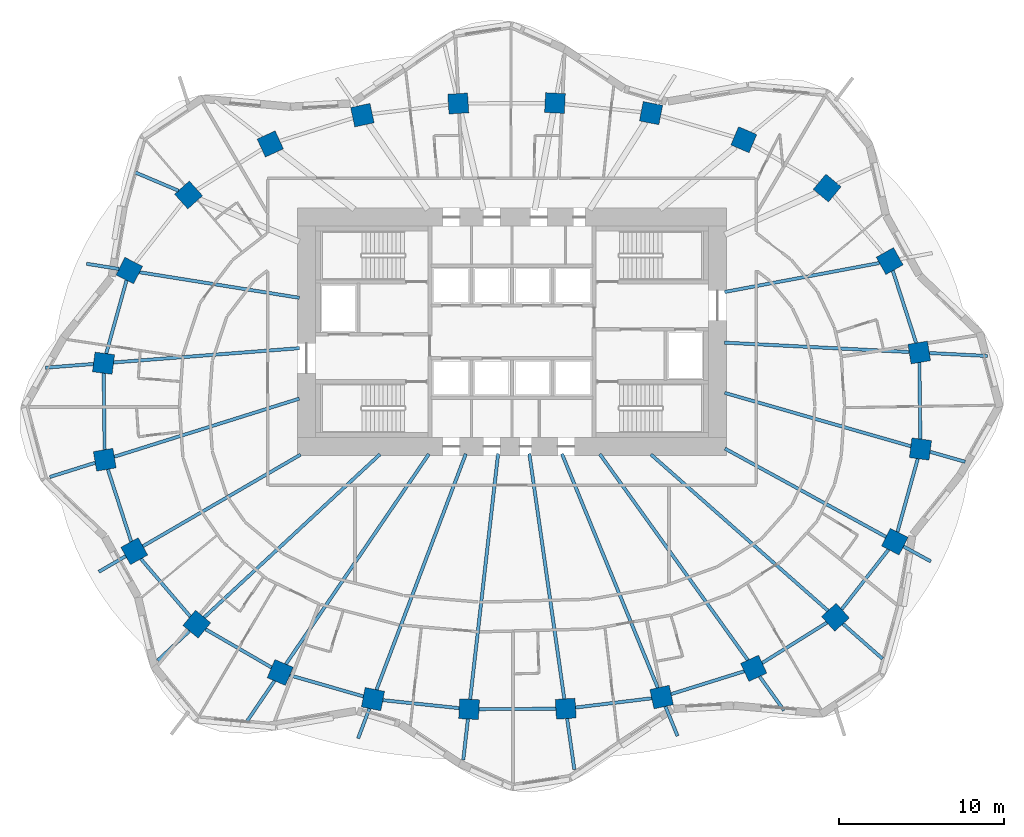
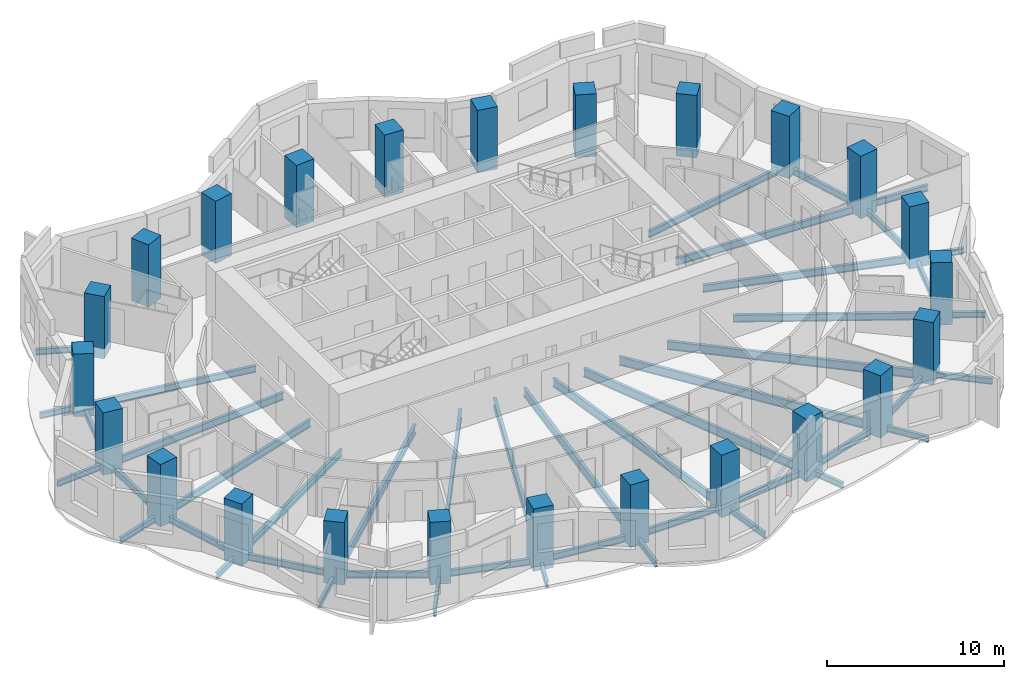
# One storey, part 1 of 11: 47 beams, 24 columns.
"""IFC4 building model written with IfcOpenShell, lengths in metres."""

from ifc_helpers import new_model, si_unit, direction, frame, origin, origin_2d, place, context, subcontext, project, spatial, rectangle, i_section, extrude, material, material_profile, profile_set, type_object, element, save


model = new_model("IFC4")

# Units and contexts
model_context = context("Model", 3, precision=1e-05, world=origin(), true_north=direction((0.0, 1.0)))
body_context = subcontext(model_context, "Body", "Model", "MODEL_VIEW")
ifc_project = project(units=[si_unit("LENGTHUNIT", "METRE"), si_unit("AREAUNIT", "SQUARE_METRE"), si_unit("VOLUMEUNIT", "CUBIC_METRE"), si_unit("PLANEANGLEUNIT", "RADIAN"), si_unit("MASSUNIT", "GRAM", prefix="KILO")], contexts=[model_context])

# Site, building, storey
site_placement = place(None, origin())
site = spatial("IfcSite", under=ifc_project, at=site_placement, CompositionType="ELEMENT")
building_placement = place(site_placement, origin())
building = spatial("IfcBuilding", under=site, at=building_placement, Name="Rubra Terraces Tower", CompositionType="ELEMENT")
storey_placement = place(building_placement, frame((0.0, 0.0, 81.60009765625)))
storey = spatial("IfcBuildingStorey", under=building, at=storey_placement, Name="L18", CompositionType="ELEMENT", Elevation=81.60009765625)

# Columns
ifc_material_1 = material(Name="Concrete C60", Category="concrete")
ifc_material_profile_1 = material_profile(ifc_material_1, rectangle(XDim=1.199951171875, YDim=1.199951171875, at=origin_2d()), Name="RC 1200x1200")
ifc_profile_set_1 = profile_set([ifc_material_profile_1], Name="Concrete C60")
column_type = type_object("IfcColumnType", Name="RING COLUMN RC 1200x1200 C60", PredefinedType="COLUMN", material=ifc_profile_set_1)
for number, where, z_axis, x_axis, name in (
    (1, (24.6689453125, 3.248046875, -0.7001953125), (0.0, 0.0, 1.0), (-0.161559167715, 0.986863027642, 0.0), "column-L18-ring-01"),
    (2, (22.87890625, 8.787109375, -0.7001953125), (0.0, 0.0, 1.0), (-0.48852601316, 0.872549330678, 0.0), "column-L18-ring-02"),
    (3, (19.092041015625, 13.208984375, -0.7001953125), (0.0, 0.0, 1.0), (-0.76886986222, 0.63940529789, 0.0), "column-L18-ring-03"),
    (4, (14.0419921875, 16.135986328125, -0.7001953125), (0.0, 0.0, 1.0), (-0.920167856842, 0.391524092789, 0.0), "column-L18-ring-04"),
    (5, (8.422119140625, 17.7490234375, -0.7001953125), (0.0, 0.0, 1.0), (-0.981654668733, 0.19066754143, 0.0), "column-L18-ring-05"),
    (6, (2.60205078125, 18.35791015625, -0.7001953125), (0.0, 0.0, 1.0), (-0.998764256028, 0.049698700995, 0.0), "column-L18-ring-06"),
    (7, (-3.25390625, 18.330078125, -0.7001953125), (0.0, 0.0, 1.0), (-0.998031548759, -0.062713855578, 0.0), "column-L18-ring-07"),
    (8, (-9.06298828125, 17.625, -0.7001953125), (0.0, 0.0, 1.0), (-0.977652674797, -0.210226657352, 0.0), "column-L18-ring-08"),
    (9, (-14.64306640625, 15.881103515625, -0.7001953125), (0.0, 0.0, 1.0), (-0.908778580451, -0.417278673927, 0.0), "column-L18-ring-09"),
    (10, (-19.593017578125, 12.7900390625, -0.7001953125), (0.0, 0.0, 1.0), (-0.744021317198, -0.668155879683, 0.0), "column-L18-ring-10"),
    (11, (-23.18505859375, 8.2099609375, -0.7001953125), (0.0, 0.0, 1.0), (-0.451027931402, -0.892509834733, 0.0), "column-L18-ring-11"),
    (12, (-24.742919921875, 2.59912109375, -0.7001953125), (0.0, 0.0, 1.0), (-0.128443684554, -0.991716804283, 0.0), "column-L18-ring-12"),
    (13, (-24.6689453125, -3.248046875, -0.7001953125), (0.0, 0.0, 1.0), (0.161559167715, -0.986863027642, 0.0), "column-L18-ring-13"),
    (14, (-22.87890625, -8.787109375, -0.7001953125), (0.0, 0.0, 1.0), (0.48852601316, -0.872549330678, 0.0), "column-L18-ring-14"),
    (15, (-19.092041015625, -13.208984375, -0.7001953125), (0.0, 0.0, 1.0), (0.76886986222, -0.63940529789, 0.0), "column-L18-ring-15"),
    (16, (-14.0419921875, -16.135986328125, -0.7001953125), (0.0, 0.0, 1.0), (0.920167856842, -0.391524092789, 0.0), "column-L18-ring-16"),
    (17, (-8.422119140625, -17.7490234375, -0.7001953125), (0.0, 0.0, 1.0), (0.981654668733, -0.19066754143, 0.0), "column-L18-ring-17"),
    (18, (-2.60205078125, -18.35791015625, -0.7001953125), (0.0, 0.0, 1.0), (0.998764256028, -0.049698700995, 0.0), "column-L18-ring-18"),
    (19, (3.25390625, -18.330078125, -0.7001953125), (0.0, 0.0, 1.0), (0.998031548759, 0.062713855578, 0.0), "column-L18-ring-19"),
    (20, (9.06298828125, -17.625, -0.7001953125), (0.0, 0.0, 1.0), (0.977652674797, 0.210226657352, 0.0), "column-L18-ring-20"),
    (21, (14.64306640625, -15.881103515625, -0.7001953125), (0.0, 0.0, 1.0), (0.908778580451, 0.417278673927, 0.0), "column-L18-ring-21"),
    (22, (19.593017578125, -12.7900390625, -0.7001953125), (0.0, 0.0, 1.0), (0.744021317198, 0.668155879683, 0.0), "column-L18-ring-22"),
    (23, (23.18505859375, -8.2099609375, -0.7001953125), (0.0, 0.0, 1.0), (0.451027931402, 0.892509834733, 0.0), "column-L18-ring-23"),
    (24, (24.742919921875, -2.59912109375, -0.7001953125), (0.0, 0.0, 1.0), (0.128443684554, 0.991716804283, 0.0), "column-L18-ring-24"),
):
    element("IfcColumn", number, at=place(storey_placement, frame(where, z_axis=z_axis, x_axis=x_axis)), inside=storey, type_object=column_type, Name=name, PredefinedType="COLUMN", context=body_context, shape_type="SweptSolid", body=[
        extrude(rectangle(XDim=1.199951171875, YDim=1.199951171875, at=origin_2d()), origin(), (0.0, 0.0, 1.0), 4.300048828125),
    ])

# Beams
ifc_material_2 = material(Name="Steel Q355B", Category="steel")
ifc_material_profile_2 = material_profile(ifc_material_2, i_section(OverallWidth=0.199951171875, OverallDepth=0.39990234375, WebThickness=0.008056640625, FlangeThickness=0.012939453125, at=origin_2d()), Name="HN 400x200x8x13")
ifc_profile_set_2 = profile_set([ifc_material_profile_2], Name="Steel Q355B")
beam_type_1 = type_object("IfcBeamType", Name="CANTILEVER BEAM HN 400x200x8x13", PredefinedType="BEAM", material=ifc_profile_set_2)
beam_1_placement = place(storey_placement, frame((-20.202880859375, 13.048095703125, -0.400146484375), z_axis=(-0.920934147462, 0.389718226465, 0.0), x_axis=(-0.389718226465, -0.920934147462, 0.0)))
element("IfcBeam", 25, at=beam_1_placement, inside=storey, type_object=beam_type_1, Name="beam-L18-cant-10", PredefinedType="BEAM", context=body_context, shape_type="SweptSolid", body=[
    extrude(i_section(OverallWidth=0.199951171875, OverallDepth=0.39990234375, WebThickness=0.008056640625, FlangeThickness=0.012939453125, at=origin_2d()), origin(), (0.0, 0.0, 1.0), 2.850341796875),
])
beam_2_placement = place(storey_placement, frame((-23.806884765625, 8.31005859375, -0.400146484375), z_axis=(-0.987451358057, 0.157923448136, 0.0), x_axis=(-0.157923448136, -0.987451358057, 0.0)))
element("IfcBeam", 26, at=beam_2_placement, inside=storey, type_object=beam_type_1, Name="beam-L18-cant-11", PredefinedType="BEAM", context=body_context, shape_type="SweptSolid", body=[
    extrude(i_section(OverallWidth=0.199951171875, OverallDepth=0.39990234375, WebThickness=0.008056640625, FlangeThickness=0.012939453125, at=origin_2d()), origin(), (0.0, 0.0, 1.0), 1.988037109375),
])
beam_3_placement = place(storey_placement, frame((-25.35400390625, 2.552001953125, -0.400146484375), z_axis=(-0.997078655681, -0.076381636441, 0.0), x_axis=(0.076381636441, -0.997078655681, 0.0)))
element("IfcBeam", 27, at=beam_3_placement, inside=storey, type_object=beam_type_1, Name="beam-L18-cant-12", PredefinedType="BEAM", context=body_context, shape_type="SweptSolid", body=[
    extrude(i_section(OverallWidth=0.199951171875, OverallDepth=0.39990234375, WebThickness=0.008056640625, FlangeThickness=0.012939453125, at=origin_2d()), origin(), (0.0, 0.0, 1.0), 2.905517578125),
])
beam_4_placement = place(storey_placement, frame((-25.2470703125, -3.429931640625, -0.400146484375), z_axis=(-0.954045543107, -0.299661645322, 0.0), x_axis=(0.299661645322, -0.954045543107, 0.0)))
element("IfcBeam", 28, at=beam_4_placement, inside=storey, type_object=beam_type_1, Name="beam-L18-cant-13", PredefinedType="BEAM", context=body_context, shape_type="SweptSolid", body=[
    extrude(i_section(OverallWidth=0.199951171875, OverallDepth=0.39990234375, WebThickness=0.008056640625, FlangeThickness=0.012939453125, at=origin_2d()), origin(), (0.0, 0.0, 1.0), 2.886474609375),
])
beam_5_placement = place(storey_placement, frame((-23.39794921875, -9.087890625, -0.400146484375), z_axis=(-0.864580408052, -0.502494495505, 0.0), x_axis=(0.502494495505, -0.864580408052, 0.0)))
element("IfcBeam", 29, at=beam_5_placement, inside=storey, type_object=beam_type_1, Name="beam-L18-cant-14", PredefinedType="BEAM", context=body_context, shape_type="SweptSolid", body=[
    extrude(i_section(OverallWidth=0.199951171875, OverallDepth=0.39990234375, WebThickness=0.008056640625, FlangeThickness=0.012939453125, at=origin_2d()), origin(), (0.0, 0.0, 1.0), 1.886474609375),
])
beam_6_placement = place(storey_placement, frame((-19.535888671875, -13.6201171875, -0.400146484375), z_axis=(-0.73298930128, -0.680240166566, 0.0), x_axis=(0.680240166566, -0.73298930128, 0.0)))
element("IfcBeam", 30, at=beam_6_placement, inside=storey, type_object=beam_type_1, Name="beam-L18-cant-15", PredefinedType="BEAM", context=body_context, shape_type="SweptSolid", body=[
    extrude(i_section(OverallWidth=0.199951171875, OverallDepth=0.39990234375, WebThickness=0.008056640625, FlangeThickness=0.012939453125, at=origin_2d()), origin(), (0.0, 0.0, 1.0), 2.61962890625),
])
beam_7_placement = place(storey_placement, frame((-8.637939453125, -18.318115234375, -0.400146484375), z_axis=(-0.353569881808, -0.935408113434, 0.0), x_axis=(0.935408113434, -0.353569881808, 0.0)))
element("IfcBeam", 31, at=beam_7_placement, inside=storey, type_object=beam_type_1, Name="beam-L18-cant-17", PredefinedType="BEAM", context=body_context, shape_type="SweptSolid", body=[
    extrude(i_section(OverallWidth=0.199951171875, OverallDepth=0.39990234375, WebThickness=0.008056640625, FlangeThickness=0.012939453125, at=origin_2d()), origin(), (0.0, 0.0, 1.0), 1.934814453125),
])
beam_8_placement = place(storey_placement, frame((-2.669921875, -18.955078125, -0.400146484375), z_axis=(-0.113039698875, -0.993590472216, 0.0), x_axis=(0.993590472216, -0.113039698875, 0.0)))
element("IfcBeam", 32, at=beam_8_placement, inside=storey, type_object=beam_type_1, Name="beam-L18-cant-18", PredefinedType="BEAM", context=body_context, shape_type="SweptSolid", body=[
    extrude(i_section(OverallWidth=0.199951171875, OverallDepth=0.39990234375, WebThickness=0.008056640625, FlangeThickness=0.012939453125, at=origin_2d()), origin(), (0.0, 0.0, 1.0), 2.48583984375),
])
beam_9_placement = place(storey_placement, frame((3.339111328125, -18.926025390625, -0.400146484375), z_axis=(0.141004134559, -0.990009007049, 0.0), x_axis=(0.990009007049, 0.141004134559, 0.0)))
element("IfcBeam", 33, at=beam_9_placement, inside=storey, type_object=beam_type_1, Name="beam-L18-cant-19", PredefinedType="BEAM", context=body_context, shape_type="SweptSolid", body=[
    extrude(i_section(OverallWidth=0.199951171875, OverallDepth=0.39990234375, WebThickness=0.008056640625, FlangeThickness=0.012939453125, at=origin_2d()), origin(), (0.0, 0.0, 1.0), 3.113037109375),
])
beam_10_placement = place(storey_placement, frame((9.2939453125, -18.18896484375, -0.400146484375), z_axis=(0.379348966853, -0.925253674052, 0.0), x_axis=(0.925253674052, 0.379348966853, 0.0)))
element("IfcBeam", 34, at=beam_10_placement, inside=storey, type_object=beam_type_1, Name="beam-L18-cant-20", PredefinedType="BEAM", context=body_context, shape_type="SweptSolid", body=[
    extrude(i_section(OverallWidth=0.199951171875, OverallDepth=0.39990234375, WebThickness=0.008056640625, FlangeThickness=0.012939453125, at=origin_2d()), origin(), (0.0, 0.0, 1.0), 1.937744140625),
])
beam_11_placement = place(storey_placement, frame((15.0, -16.376953125, -0.400146484375), z_axis=(0.583203525361, -0.812326072465, 0.0), x_axis=(0.812326072465, 0.583203525361, 0.0)))
element("IfcBeam", 35, at=beam_11_placement, inside=storey, type_object=beam_type_1, Name="beam-L18-cant-21", PredefinedType="BEAM", context=body_context, shape_type="SweptSolid", body=[
    extrude(i_section(OverallWidth=0.199951171875, OverallDepth=0.39990234375, WebThickness=0.008056640625, FlangeThickness=0.012939453125, at=origin_2d()), origin(), (0.0, 0.0, 1.0), 2.535888671875),
])
beam_12_placement = place(storey_placement, frame((20.0458984375, -13.18994140625, -0.400146484375), z_axis=(0.749889181916, -0.661563462447, 0.0), x_axis=(0.661563462447, 0.749889181916, 0.0)))
element("IfcBeam", 36, at=beam_12_placement, inside=storey, type_object=beam_type_1, Name="beam-L18-cant-22", PredefinedType="BEAM", context=body_context, shape_type="SweptSolid", body=[
    extrude(i_section(OverallWidth=0.199951171875, OverallDepth=0.39990234375, WebThickness=0.008056640625, FlangeThickness=0.012939453125, at=origin_2d()), origin(), (0.0, 0.0, 1.0), 3.192626953125),
])
beam_13_placement = place(storey_placement, frame((23.7109375, -8.4990234375, -0.400146484375), z_axis=(0.877041958571, -0.480413783009, 0.0), x_axis=(0.480413783009, 0.877041958571, 0.0)))
element("IfcBeam", 37, at=beam_13_placement, inside=storey, type_object=beam_type_1, Name="beam-L18-cant-23", PredefinedType="BEAM", context=body_context, shape_type="SweptSolid", body=[
    extrude(i_section(OverallWidth=0.199951171875, OverallDepth=0.39990234375, WebThickness=0.008056640625, FlangeThickness=0.012939453125, at=origin_2d()), origin(), (0.0, 0.0, 1.0), 1.89404296875),
])
beam_14_placement = place(storey_placement, frame((25.325927734375, -2.76611328125, -0.400146484375), z_axis=(0.961147152429, -0.276036503703, 0.0), x_axis=(0.276036503703, 0.961147152429, 0.0)))
element("IfcBeam", 38, at=beam_14_placement, inside=storey, type_object=beam_type_1, Name="beam-L18-cant-24", PredefinedType="BEAM", context=body_context, shape_type="SweptSolid", body=[
    extrude(i_section(OverallWidth=0.199951171875, OverallDepth=0.39990234375, WebThickness=0.008056640625, FlangeThickness=0.012939453125, at=origin_2d()), origin(), (0.0, 0.0, 1.0), 2.205810546875),
])
ifc_material_profile_3 = material_profile(ifc_material_2, i_section(OverallWidth=0.198974609375, OverallDepth=0.446044921875, WebThickness=0.008056640625, FlangeThickness=0.011962890625, at=origin_2d()), Name="HN 446x199x8x12")
ifc_profile_set_3 = profile_set([ifc_material_profile_3], Name="Steel Q355B")
beam_type_2 = type_object("IfcBeamType", Name="CANTILEVER BEAM HN 446x199x8x12", PredefinedType="BEAM", material=ifc_profile_set_3)
beam_15_placement = place(storey_placement, frame((25.281982421875, 3.217041015625, -0.423095703125), z_axis=(0.998709471557, -0.050787709356, 0.0), x_axis=(0.050787709356, 0.998709471557, 0.0)))
element("IfcBeam", 39, at=beam_15_placement, inside=storey, type_object=beam_type_2, Name="beam-L18-cant-01", PredefinedType="BEAM", context=body_context, shape_type="SweptSolid", body=[
    extrude(i_section(OverallWidth=0.198974609375, OverallDepth=0.446044921875, WebThickness=0.008056640625, FlangeThickness=0.011962890625, at=origin_2d()), origin(), (0.0, 0.0, 1.0), 3.523681640625),
])
beam_16_placement = place(storey_placement, frame((-14.385986328125, -16.64208984375, -0.423095703125), z_axis=(-0.562581591021, -0.826741769505, 0.0), x_axis=(0.826741769505, -0.562581591021, 0.0)))
element("IfcBeam", 40, at=beam_16_placement, inside=storey, type_object=beam_type_2, Name="beam-L18-cant-16", PredefinedType="BEAM", context=body_context, shape_type="SweptSolid", body=[
    extrude(i_section(OverallWidth=0.198974609375, OverallDepth=0.446044921875, WebThickness=0.008056640625, FlangeThickness=0.011962890625, at=origin_2d()), origin(), (0.0, 0.0, 1.0), 3.220947265625),
])
ifc_material_profile_4 = material_profile(ifc_material_2, i_section(OverallWidth=0.198974609375, OverallDepth=0.446044921875, WebThickness=0.008056640625, FlangeThickness=0.011962890625, at=origin_2d()), Name="HN 446x199x8x12")
ifc_profile_set_4 = profile_set([ifc_material_profile_4], Name="Steel Q355B")
beam_type_3 = type_object("IfcBeamType", Name="FLOOR BEAM HN 446x199x8x12", PredefinedType="BEAM", material=ifc_profile_set_4)
beam_17_placement = place(storey_placement, frame((22.257080078125, 8.669921875, -0.423095703125), z_axis=(-0.982909257943, -0.184090713102, 0.0), x_axis=(0.184090713102, -0.982909257943, 0.0)))
element("IfcBeam", 41, at=beam_17_placement, inside=storey, type_object=beam_type_3, Name="beam-L18-floor-02", PredefinedType="BEAM", context=body_context, shape_type="SweptSolid", body=[
    extrude(i_section(OverallWidth=0.198974609375, OverallDepth=0.446044921875, WebThickness=0.008056640625, FlangeThickness=0.011962890625, at=origin_2d()), origin(), (0.0, 0.0, 1.0), 9.5380859375),
])
beam_18_placement = place(storey_placement, frame((-22.56298828125, 8.110107421875, -0.423095703125), z_axis=(0.987438611706, -0.158003126908, 0.0), x_axis=(0.158003126908, 0.987438611706, 0.0)))
element("IfcBeam", 42, at=beam_18_placement, inside=storey, type_object=beam_type_3, Name="beam-L18-floor-11", PredefinedType="BEAM", context=body_context, shape_type="SweptSolid", body=[
    extrude(i_section(OverallWidth=0.198974609375, OverallDepth=0.446044921875, WebThickness=0.008056640625, FlangeThickness=0.011962890625, at=origin_2d()), origin(), (0.0, 0.0, 1.0), 9.803955078125),
])
ifc_material_profile_5 = material_profile(ifc_material_2, i_section(OverallWidth=0.198974609375, OverallDepth=0.49609375, WebThickness=0.009033203125, FlangeThickness=0.013916015625, at=origin_2d()), Name="HN 496x199x9x14")
ifc_profile_set_5 = profile_set([ifc_material_profile_5], Name="Steel Q355B")
beam_type_4 = type_object("IfcBeamType", Name="FLOOR BEAM HN 496x199x9x14", PredefinedType="BEAM", material=ifc_profile_set_5)
beam_19_placement = place(storey_placement, frame((24.055908203125, 3.279052734375, -0.447998046875), z_axis=(-0.998716006853, 0.050659033312, 0.0), x_axis=(-0.050659033312, -0.998716006853, 0.0)))
element("IfcBeam", 43, at=beam_19_placement, inside=storey, type_object=beam_type_4, Name="beam-L18-floor-01", PredefinedType="BEAM", context=body_context, shape_type="SweptSolid", body=[
    extrude(i_section(OverallWidth=0.198974609375, OverallDepth=0.49609375, WebThickness=0.009033203125, FlangeThickness=0.013916015625, at=origin_2d()), origin(), (0.0, 0.0, 1.0), 11.1904296875),
])
beam_20_placement = place(storey_placement, frame((-24.132080078125, 2.64599609375, -0.447998046875), z_axis=(0.99706491124, 0.076560843604, 0.0), x_axis=(-0.076560843604, 0.99706491124, 0.0)))
element("IfcBeam", 44, at=beam_20_placement, inside=storey, type_object=beam_type_4, Name="beam-L18-floor-12", PredefinedType="BEAM", context=body_context, shape_type="SweptSolid", body=[
    extrude(i_section(OverallWidth=0.198974609375, OverallDepth=0.49609375, WebThickness=0.009033203125, FlangeThickness=0.013916015625, at=origin_2d()), origin(), (0.0, 0.0, 1.0), 11.285400390625),
])
beam_21_placement = place(storey_placement, frame((-24.091064453125, -3.06591796875, -0.447998046875), z_axis=(0.954061815263, 0.299609834046, 0.0), x_axis=(-0.299609834046, 0.954061815263, 0.0)))
element("IfcBeam", 45, at=beam_21_placement, inside=storey, type_object=beam_type_4, Name="beam-L18-floor-13", PredefinedType="BEAM", context=body_context, shape_type="SweptSolid", body=[
    extrude(i_section(OverallWidth=0.198974609375, OverallDepth=0.49609375, WebThickness=0.009033203125, FlangeThickness=0.013916015625, at=origin_2d()), origin(), (0.0, 0.0, 1.0), 11.74462890625),
])
beam_22_placement = place(storey_placement, frame((-22.360107421875, -8.486083984375, -0.447998046875), z_axis=(0.864729170152, 0.502238451623, 0.0), x_axis=(-0.502238451623, 0.864729170152, 0.0)))
element("IfcBeam", 46, at=beam_22_placement, inside=storey, type_object=beam_type_4, Name="beam-L18-floor-14", PredefinedType="BEAM", context=body_context, shape_type="SweptSolid", body=[
    extrude(i_section(OverallWidth=0.198974609375, OverallDepth=0.49609375, WebThickness=0.009033203125, FlangeThickness=0.013916015625, at=origin_2d()), origin(), (0.0, 0.0, 1.0), 11.04296875),
])
beam_23_placement = place(storey_placement, frame((22.658935546875, -7.9208984375, -0.447998046875), z_axis=(-0.876910796921, 0.480653153785, 0.0), x_axis=(-0.480653153785, -0.876910796921, 0.0)))
element("IfcBeam", 47, at=beam_23_placement, inside=storey, type_object=beam_type_4, Name="beam-L18-floor-23", PredefinedType="BEAM", context=body_context, shape_type="SweptSolid", body=[
    extrude(i_section(OverallWidth=0.198974609375, OverallDepth=0.49609375, WebThickness=0.009033203125, FlangeThickness=0.013916015625, at=origin_2d()), origin(), (0.0, 0.0, 1.0), 11.134521484375),
])
beam_24_placement = place(storey_placement, frame((24.159912109375, -2.431884765625, -0.447998046875), z_axis=(-0.9612201884, 0.275782068691, 0.0), x_axis=(-0.275782068691, -0.9612201884, 0.0)))
element("IfcBeam", 48, at=beam_24_placement, inside=storey, type_object=beam_type_4, Name="beam-L18-floor-24", PredefinedType="BEAM", context=body_context, shape_type="SweptSolid", body=[
    extrude(i_section(OverallWidth=0.198974609375, OverallDepth=0.49609375, WebThickness=0.009033203125, FlangeThickness=0.013916015625, at=origin_2d()), origin(), (0.0, 0.0, 1.0), 11.729736328125),
])
ifc_material_profile_6 = material_profile(ifc_material_2, i_section(OverallWidth=0.198974609375, OverallDepth=0.595947265625, WebThickness=0.010009765625, FlangeThickness=0.014892578125, at=origin_2d()), Name="HN 596x199x10x15")
ifc_profile_set_6 = profile_set([ifc_material_profile_6], Name="Steel Q355B")
beam_type_5 = type_object("IfcBeamType", Name="FLOOR BEAM HN 596x199x10x15", PredefinedType="BEAM", material=ifc_profile_set_6)
beam_25_placement = place(storey_placement, frame((-18.64794921875, -12.798095703125, -0.498046875), z_axis=(0.733104668463, 0.680115832104, 0.0), x_axis=(-0.680115832104, 0.733104668463, 0.0)))
element("IfcBeam", 49, at=beam_25_placement, inside=storey, type_object=beam_type_5, Name="beam-L18-floor-15", PredefinedType="BEAM", context=body_context, shape_type="SweptSolid", body=[
    extrude(i_section(OverallWidth=0.198974609375, OverallDepth=0.595947265625, WebThickness=0.010009765625, FlangeThickness=0.014892578125, at=origin_2d()), origin(), (0.0, 0.0, 1.0), 14.527099609375),
])
beam_26_placement = place(storey_placement, frame((-13.697998046875, -15.6298828125, -0.498046875), z_axis=(0.562593638313, 0.82673357143, 0.0), x_axis=(-0.82673357143, 0.562593638313, 0.0)))
element("IfcBeam", 50, at=beam_26_placement, inside=storey, type_object=beam_type_5, Name="beam-L18-floor-16", PredefinedType="BEAM", context=body_context, shape_type="SweptSolid", body=[
    extrude(i_section(OverallWidth=0.198974609375, OverallDepth=0.595947265625, WebThickness=0.010009765625, FlangeThickness=0.014892578125, at=origin_2d()), origin(), (0.0, 0.0, 1.0), 15.396728515625),
])
beam_27_placement = place(storey_placement, frame((-8.2060546875, -17.179931640625, -0.498046875), z_axis=(0.35395819717, 0.935261244068, 0.0), x_axis=(-0.935261244068, 0.35395819717, 0.0)))
element("IfcBeam", 51, at=beam_27_placement, inside=storey, type_object=beam_type_5, Name="beam-L18-floor-17", PredefinedType="BEAM", context=body_context, shape_type="SweptSolid", body=[
    extrude(i_section(OverallWidth=0.198974609375, OverallDepth=0.595947265625, WebThickness=0.010009765625, FlangeThickness=0.014892578125, at=origin_2d()), origin(), (0.0, 0.0, 1.0), 15.28125),
])
beam_28_placement = place(storey_placement, frame((-2.533935546875, -17.760986328125, -0.498046875), z_axis=(0.113104280783, 0.993583122677, 0.0), x_axis=(-0.993583122677, 0.113104280783, 0.0)))
element("IfcBeam", 52, at=beam_28_placement, inside=storey, type_object=beam_type_5, Name="beam-L18-floor-18", PredefinedType="BEAM", context=body_context, shape_type="SweptSolid", body=[
    extrude(i_section(OverallWidth=0.198974609375, OverallDepth=0.595947265625, WebThickness=0.010009765625, FlangeThickness=0.014892578125, at=origin_2d()), origin(), (0.0, 0.0, 1.0), 14.97607421875),
])
beam_29_placement = place(storey_placement, frame((3.1689453125, -17.73388671875, -0.498046875), z_axis=(-0.141102399867, 0.989995006428, 0.0), x_axis=(-0.989995006428, -0.141102399867, 0.0)))
element("IfcBeam", 53, at=beam_29_placement, inside=storey, type_object=beam_type_5, Name="beam-L18-floor-19", PredefinedType="BEAM", context=body_context, shape_type="SweptSolid", body=[
    extrude(i_section(OverallWidth=0.198974609375, OverallDepth=0.595947265625, WebThickness=0.010009765625, FlangeThickness=0.014892578125, at=origin_2d()), origin(), (0.0, 0.0, 1.0), 15.0029296875),
])
beam_30_placement = place(storey_placement, frame((8.83203125, -17.06103515625, -0.498046875), z_axis=(-0.379038143634, 0.925381048904, 0.0), x_axis=(-0.925381048904, -0.379038143634, 0.0)))
element("IfcBeam", 54, at=beam_30_placement, inside=storey, type_object=beam_type_5, Name="beam-L18-floor-20", PredefinedType="BEAM", context=body_context, shape_type="SweptSolid", body=[
    extrude(i_section(OverallWidth=0.198974609375, OverallDepth=0.595947265625, WebThickness=0.010009765625, FlangeThickness=0.014892578125, at=origin_2d()), origin(), (0.0, 0.0, 1.0), 15.31494140625),
])
beam_31_placement = place(storey_placement, frame((14.285888671875, -15.385009765625, -0.498046875), z_axis=(-0.583480892091, 0.812126867284, 0.0), x_axis=(-0.812126867284, -0.583480892091, 0.0)))
element("IfcBeam", 55, at=beam_31_placement, inside=storey, type_object=beam_type_5, Name="beam-L18-floor-21", PredefinedType="BEAM", context=body_context, shape_type="SweptSolid", body=[
    extrude(i_section(OverallWidth=0.198974609375, OverallDepth=0.595947265625, WebThickness=0.010009765625, FlangeThickness=0.014892578125, at=origin_2d()), origin(), (0.0, 0.0, 1.0), 15.369384765625),
])
beam_32_placement = place(storey_placement, frame((19.139892578125, -12.389892578125, -0.498046875), z_axis=(-0.749820430817, 0.661641384384, 0.0), x_axis=(-0.661641384384, -0.749820430817, 0.0)))
element("IfcBeam", 56, at=beam_32_placement, inside=storey, type_object=beam_type_5, Name="beam-L18-floor-22", PredefinedType="BEAM", context=body_context, shape_type="SweptSolid", body=[
    extrude(i_section(OverallWidth=0.198974609375, OverallDepth=0.595947265625, WebThickness=0.010009765625, FlangeThickness=0.014892578125, at=origin_2d()), origin(), (0.0, 0.0, 1.0), 14.311279296875),
])
ifc_material_profile_7 = material_profile(ifc_material_2, i_section(OverallWidth=0.198974609375, OverallDepth=0.446044921875, WebThickness=0.008056640625, FlangeThickness=0.011962890625, at=origin_2d()), Name="HN 446x199x8x12")
ifc_profile_set_7 = profile_set([ifc_material_profile_7], Name="Steel Q355B")
beam_type_6 = type_object("IfcBeamType", Name="SPANDREL BEAM HN 446x199x8x12", PredefinedType="SPANDREL", material=ifc_profile_set_7)
beam_33_placement = place(storey_placement, frame((24.48193359375, 3.824951171875, -0.423095703125), z_axis=(-0.307414966872, 0.951575555667, 0.0), x_axis=(-0.951575555667, -0.307414966872, 0.0)))
element("IfcBeam", 57, at=beam_33_placement, inside=storey, type_object=beam_type_6, Name="beam-L18-spandrel-01", PredefinedType="SPANDREL", context=body_context, shape_type="SweptSolid", body=[
    extrude(i_section(OverallWidth=0.198974609375, OverallDepth=0.446044921875, WebThickness=0.008056640625, FlangeThickness=0.011962890625, at=origin_2d()), origin(), (0.0, 0.0, 1.0), 4.60302734375),
])
beam_34_placement = place(storey_placement, frame((-23.34912109375, 7.6201171875, -0.423095703125), z_axis=(-0.26752901479, -0.963549804756, 0.0), x_axis=(0.963549804756, -0.26752901479, 0.0)))
element("IfcBeam", 58, at=beam_34_placement, inside=storey, type_object=beam_type_6, Name="beam-L18-spandrel-11", PredefinedType="SPANDREL", context=body_context, shape_type="SweptSolid", body=[
    extrude(i_section(OverallWidth=0.198974609375, OverallDepth=0.446044921875, WebThickness=0.008056640625, FlangeThickness=0.011962890625, at=origin_2d()), origin(), (0.0, 0.0, 1.0), 4.60498046875),
])
beam_35_placement = place(storey_placement, frame((-24.735107421875, 1.992919921875, -0.423095703125), z_axis=(0.012537869063, -0.999921397831, 0.0), x_axis=(0.999921397831, 0.012537869063, 0.0)))
element("IfcBeam", 59, at=beam_35_placement, inside=storey, type_object=beam_type_6, Name="beam-L18-spandrel-12", PredefinedType="SPANDREL", context=body_context, shape_type="SweptSolid", body=[
    extrude(i_section(OverallWidth=0.198974609375, OverallDepth=0.446044921875, WebThickness=0.008056640625, FlangeThickness=0.011962890625, at=origin_2d()), origin(), (0.0, 0.0, 1.0), 4.63427734375),
])
beam_36_placement = place(storey_placement, frame((-24.48193359375, -3.824951171875, -0.423095703125), z_axis=(0.307414966872, -0.951575555667, 0.0), x_axis=(0.951575555667, 0.307414966872, 0.0)))
element("IfcBeam", 60, at=beam_36_placement, inside=storey, type_object=beam_type_6, Name="beam-L18-spandrel-13", PredefinedType="SPANDREL", context=body_context, shape_type="SweptSolid", body=[
    extrude(i_section(OverallWidth=0.198974609375, OverallDepth=0.446044921875, WebThickness=0.008056640625, FlangeThickness=0.011962890625, at=origin_2d()), origin(), (0.0, 0.0, 1.0), 4.60302734375),
])
beam_37_placement = place(storey_placement, frame((-22.48095703125, -9.251953125, -0.423095703125), z_axis=(0.650428637413, -0.759567368726, 0.0), x_axis=(0.759567368726, 0.650428637413, 0.0)))
element("IfcBeam", 61, at=beam_37_placement, inside=storey, type_object=beam_type_6, Name="beam-L18-spandrel-14", PredefinedType="SPANDREL", context=body_context, shape_type="SweptSolid", body=[
    extrude(i_section(OverallWidth=0.198974609375, OverallDepth=0.446044921875, WebThickness=0.008056640625, FlangeThickness=0.011962890625, at=origin_2d()), origin(), (0.0, 0.0, 1.0), 4.6015625),
])
beam_38_placement = place(storey_placement, frame((-18.56494140625, -13.513916015625, -0.423095703125), z_axis=(0.865116425734, -0.501571101565, 0.0), x_axis=(0.501571101565, 0.865116425734, 0.0)))
element("IfcBeam", 62, at=beam_38_placement, inside=storey, type_object=beam_type_6, Name="beam-L18-spandrel-15", PredefinedType="SPANDREL", context=body_context, shape_type="SweptSolid", body=[
    extrude(i_section(OverallWidth=0.198974609375, OverallDepth=0.446044921875, WebThickness=0.008056640625, FlangeThickness=0.011962890625, at=origin_2d()), origin(), (0.0, 0.0, 1.0), 4.62353515625),
])
beam_39_placement = place(storey_placement, frame((-13.4609375, -16.302978515625, -0.423095703125), z_axis=(0.961195652649, -0.275867572085, 0.0), x_axis=(0.275867572085, 0.961195652649, 0.0)))
element("IfcBeam", 63, at=beam_39_placement, inside=storey, type_object=beam_type_6, Name="beam-L18-spandrel-16", PredefinedType="SPANDREL", context=body_context, shape_type="SweptSolid", body=[
    extrude(i_section(OverallWidth=0.198974609375, OverallDepth=0.446044921875, WebThickness=0.008056640625, FlangeThickness=0.011962890625, at=origin_2d()), origin(), (0.0, 0.0, 1.0), 4.639892578125),
])
beam_40_placement = place(storey_placement, frame((-7.822998046875, -17.81201171875, -0.423095703125), z_axis=(0.994588599148, -0.103891859374, 0.0), x_axis=(0.103891859374, 0.994588599148, 0.0)))
element("IfcBeam", 64, at=beam_40_placement, inside=storey, type_object=beam_type_6, Name="beam-L18-spandrel-17", PredefinedType="SPANDREL", context=body_context, shape_type="SweptSolid", body=[
    extrude(i_section(OverallWidth=0.198974609375, OverallDepth=0.446044921875, WebThickness=0.008056640625, FlangeThickness=0.011962890625, at=origin_2d()), origin(), (0.0, 0.0, 1.0), 4.648193359375),
])
beam_41_placement = place(storey_placement, frame((-2.0009765625, -18.35498046875, -0.423095703125), z_axis=(0.99998885538, 0.004721135025, 0.0), x_axis=(-0.004721135025, 0.99998885538, 0.0)))
element("IfcBeam", 65, at=beam_41_placement, inside=storey, type_object=beam_type_6, Name="beam-L18-spandrel-18", PredefinedType="SPANDREL", context=body_context, shape_type="SweptSolid", body=[
    extrude(i_section(OverallWidth=0.198974609375, OverallDepth=0.446044921875, WebThickness=0.008056640625, FlangeThickness=0.011962890625, at=origin_2d()), origin(), (0.0, 0.0, 1.0), 4.654052734375),
])
beam_42_placement = place(storey_placement, frame((3.85107421875, -18.258056640625, -0.423095703125), z_axis=(0.992713612833, 0.120497646851, 0.0), x_axis=(-0.120497646851, 0.992713612833, 0.0)))
element("IfcBeam", 66, at=beam_42_placement, inside=storey, type_object=beam_type_6, Name="beam-L18-spandrel-19", PredefinedType="SPANDREL", context=body_context, shape_type="SweptSolid", body=[
    extrude(i_section(OverallWidth=0.198974609375, OverallDepth=0.446044921875, WebThickness=0.008056640625, FlangeThickness=0.011962890625, at=origin_2d()), origin(), (0.0, 0.0, 1.0), 4.64794921875),
])
beam_43_placement = place(storey_placement, frame((9.637939453125, -17.445068359375, -0.423095703125), z_axis=(0.954462184919, 0.298331925142, 0.0), x_axis=(-0.298331925142, 0.954462184919, 0.0)))
element("IfcBeam", 67, at=beam_43_placement, inside=storey, type_object=beam_type_6, Name="beam-L18-spandrel-20", PredefinedType="SPANDREL", context=body_context, shape_type="SweptSolid", body=[
    extrude(i_section(OverallWidth=0.198974609375, OverallDepth=0.446044921875, WebThickness=0.008056640625, FlangeThickness=0.011962890625, at=origin_2d()), origin(), (0.0, 0.0, 1.0), 4.63916015625),
])
beam_44_placement = place(storey_placement, frame((15.156005859375, -15.56103515625, -0.423095703125), z_axis=(0.848188188849, 0.529695003089, 0.0), x_axis=(-0.529695003089, 0.848188188849, 0.0)))
element("IfcBeam", 68, at=beam_44_placement, inside=storey, type_object=beam_type_6, Name="beam-L18-spandrel-21", PredefinedType="SPANDREL", context=body_context, shape_type="SweptSolid", body=[
    extrude(i_section(OverallWidth=0.198974609375, OverallDepth=0.446044921875, WebThickness=0.008056640625, FlangeThickness=0.011962890625, at=origin_2d()), origin(), (0.0, 0.0, 1.0), 4.62158203125),
])
beam_45_placement = place(storey_placement, frame((19.968994140625, -12.31103515625, -0.423095703125), z_axis=(0.61694919408, 0.787002980886, 0.0), x_axis=(-0.787002980886, 0.61694919408, 0.0)))
element("IfcBeam", 69, at=beam_45_placement, inside=storey, type_object=beam_type_6, Name="beam-L18-spandrel-22", PredefinedType="SPANDREL", context=body_context, shape_type="SweptSolid", body=[
    extrude(i_section(OverallWidth=0.198974609375, OverallDepth=0.446044921875, WebThickness=0.008056640625, FlangeThickness=0.011962890625, at=origin_2d()), origin(), (0.0, 0.0, 1.0), 4.599853515625),
])
beam_46_placement = place(storey_placement, frame((23.34912109375, -7.6201171875, -0.423095703125), z_axis=(0.26752901479, 0.963549804756, 0.0), x_axis=(-0.963549804756, 0.26752901479, 0.0)))
element("IfcBeam", 70, at=beam_46_placement, inside=storey, type_object=beam_type_6, Name="beam-L18-spandrel-23", PredefinedType="SPANDREL", context=body_context, shape_type="SweptSolid", body=[
    extrude(i_section(OverallWidth=0.198974609375, OverallDepth=0.446044921875, WebThickness=0.008056640625, FlangeThickness=0.011962890625, at=origin_2d()), origin(), (0.0, 0.0, 1.0), 4.60498046875),
])
beam_47_placement = place(storey_placement, frame((24.735107421875, -1.992919921875, -0.423095703125), z_axis=(-0.012537869063, 0.999921397831, 0.0), x_axis=(-0.999921397831, -0.012537869063, 0.0)))
element("IfcBeam", 71, at=beam_47_placement, inside=storey, type_object=beam_type_6, Name="beam-L18-spandrel-24", PredefinedType="SPANDREL", context=body_context, shape_type="SweptSolid", body=[
    extrude(i_section(OverallWidth=0.198974609375, OverallDepth=0.446044921875, WebThickness=0.008056640625, FlangeThickness=0.011962890625, at=origin_2d()), origin(), (0.0, 0.0, 1.0), 4.63427734375),
])

save(model, "model.ifc")
